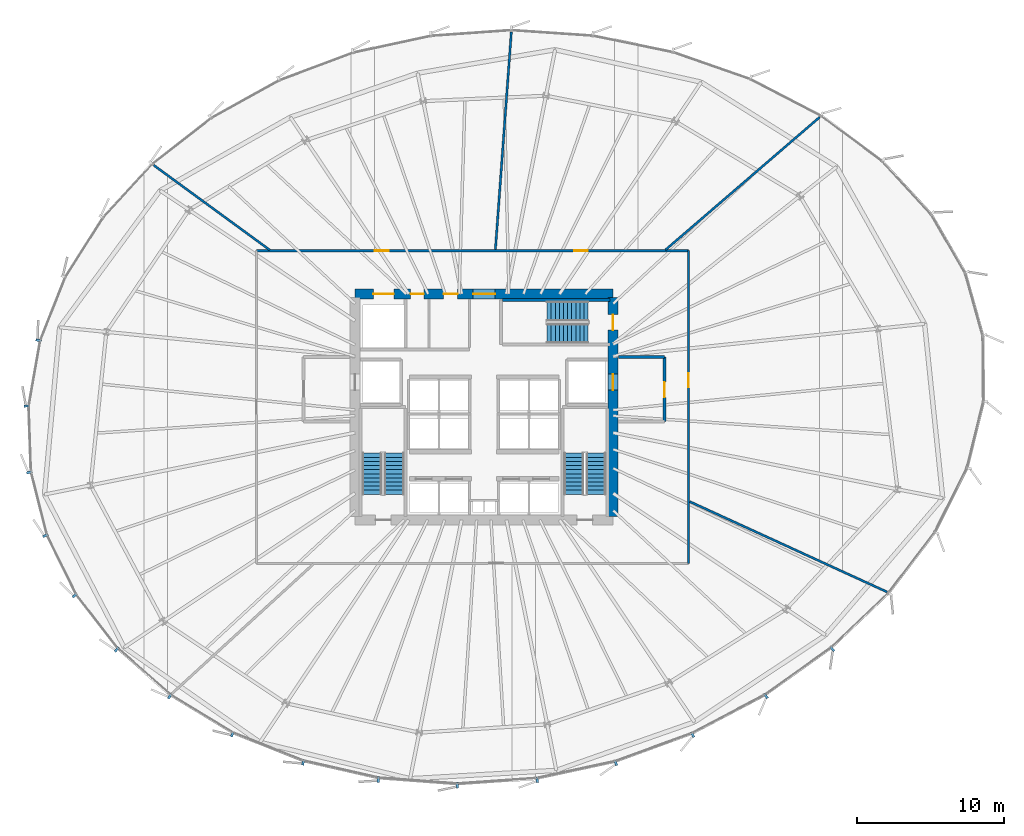
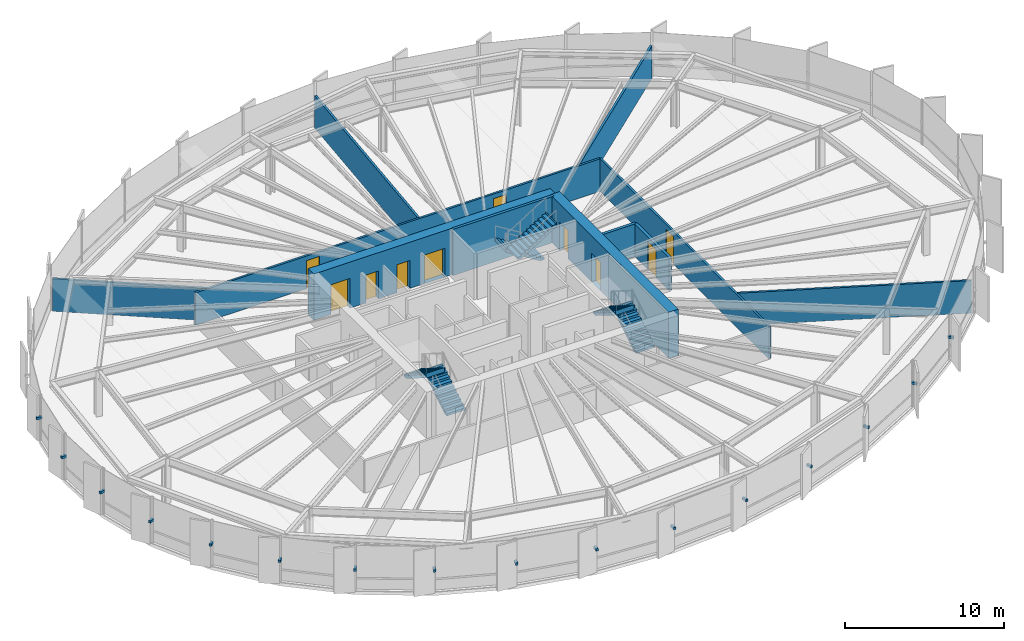
# One storey, part 32 of 38: 16 discrete accessories, 11 walls, 10 doors, 6 stair flights, 10 openings, 3 elements without a shape of their own.
"""IFC4 building model written with IfcOpenShell, lengths in metres."""

from ifc_helpers import new_model, si_unit, direction, frame, frame_2d, origin, origin_2d, place, context, subcontext, project, spatial, polyline, rectangle, outline, extrude, source, transform, mapped, material, layer, layer_set, type_object, element, fill, aggregate, save


model = new_model("IFC4")

# Units and contexts
model_context = context("Model", 3, precision=1e-05, world=origin(), true_north=direction((0.0, 1.0)))
body_context = subcontext(model_context, "Body", "Model", "MODEL_VIEW")
ifc_project = project(units=[si_unit("LENGTHUNIT", "METRE"), si_unit("AREAUNIT", "SQUARE_METRE"), si_unit("VOLUMEUNIT", "CUBIC_METRE"), si_unit("PLANEANGLEUNIT", "RADIAN"), si_unit("MASSUNIT", "GRAM", prefix="KILO"), si_unit("THERMODYNAMICTEMPERATUREUNIT", "KELVIN")], contexts=[model_context])

# Site, building, storey
site_placement = place(None, origin())
site = spatial("IfcSite", under=ifc_project, at=site_placement, CompositionType="ELEMENT")
building_placement = place(site_placement, origin())
building = spatial("IfcBuilding", under=site, at=building_placement, Name="Kethvar Cultural Tower", CompositionType="ELEMENT")
storey_placement = place(building_placement, frame((0.0, 0.0, 63.800048828125)))
storey = spatial("IfcBuildingStorey", under=building, at=storey_placement, Name="L15", CompositionType="ELEMENT", Elevation=63.800048828125)

# Wall, openings, doors
ifc_material_1 = material(Name="Concrete C60/75", Category="concrete")
ifc_layer_1 = layer(ifc_material_1, 0.699951171875, Name="Concrete C60/75", Category="concrete")
ifc_layer_set_1 = layer_set([ifc_layer_1], Name="Concrete C60/75 (700 mm)")
wall_type_1 = type_object("IfcWallType", Name="WL-CORE-700", PredefinedType="SHEAR", material=ifc_layer_set_1)
wall_1_placement = place(storey_placement, frame((55.60009765625, 35.5, 0.0), z_axis=(0.0, 0.0, 1.0), x_axis=(-1.0, 0.0, 0.0)))
wall_1 = element("IfcWall", 1, at=wall_1_placement, inside=storey, type_object=wall_type_1, Name="L15 Core Shear Wall N", PredefinedType="SHEAR", context=body_context, shape_type="SweptSolid", body=[
    extrude(rectangle(XDim=17.60009765625, YDim=0.699951171875, at=frame_2d((8.800048828125, 0.0))), origin(), (0.0, 0.0, 1.0), 3.550048828125),
])
opening_1_placement = place(wall_1_placement, frame((8.050048828125, 0.0, 0.0)))
opening_1 = element("IfcOpeningElement", 2, at=opening_1_placement, cuts=wall_1, Name="Opening D-L15-LN", PredefinedType="OPENING", context=body_context, shape_type="SweptSolid", body=[
    extrude(rectangle(XDim=1.5, YDim=2.199951171875, at=frame_2d((0.75, 1.10009765625))), frame((0.0, 0.35986328125, 0.0), z_axis=(0.0, -1.0, 0.0), x_axis=(1.0, 0.0, 0.0)), (0.0, 0.0, 1.0), 0.719970703125),
])
opening_2_placement = place(wall_1_placement, frame((14.949951171875, 0.0, 0.0)))
opening_2 = element("IfcOpeningElement", 3, at=opening_2_placement, cuts=wall_1, Name="Opening LD-G1", PredefinedType="OPENING", context=body_context, shape_type="SweptSolid", body=[
    extrude(rectangle(XDim=1.39990234375, YDim=2.300048828125, at=frame_2d((0.699951171875, 1.14990234375))), frame((0.0, 0.35986328125, 0.0), z_axis=(0.0, -1.0, 0.0), x_axis=(1.0, 0.0, 0.0)), (0.0, 0.0, 1.0), 0.719970703125),
])
opening_3_placement = place(wall_1_placement, frame((12.89990234375, 0.0, 0.0)))
opening_3 = element("IfcOpeningElement", 4, at=opening_3_placement, cuts=wall_1, Name="Opening D-L15-W1", PredefinedType="OPENING", context=body_context, shape_type="SweptSolid", body=[
    extrude(rectangle(XDim=0.89990234375, YDim=2.14990234375, at=frame_2d((0.449951171875, 1.074951171875))), frame((0.0, 0.35986328125, 0.0), z_axis=(0.0, -1.0, 0.0), x_axis=(1.0, 0.0, 0.0)), (0.0, 0.0, 1.0), 0.719970703125),
])
opening_4_placement = place(wall_1_placement, frame((10.60009765625, 0.0, 0.0)))
opening_4 = element("IfcOpeningElement", 5, at=opening_4_placement, cuts=wall_1, Name="Opening D-L15-W2", PredefinedType="OPENING", context=body_context, shape_type="SweptSolid", body=[
    extrude(rectangle(XDim=0.949951171875, YDim=2.14990234375, at=frame_2d((0.47509765625, 1.074951171875))), frame((0.0, 0.35986328125, 0.0), z_axis=(0.0, -1.0, 0.0), x_axis=(1.0, 0.0, 0.0)), (0.0, 0.0, 1.0), 0.719970703125),
])
ifc_material_2 = material(Name="Architectural Oak Timber", Category="wood")
door_type_1 = type_object("IfcDoorType", Name="DR-DBL-FD60-1500", OperationType="DOUBLE_DOOR_SINGLE_SWING", PredefinedType="DOOR", material=ifc_material_2)
shared_shape_1 = source(origin(), body_context, "Body", "SweptSolid", [
    extrude(rectangle(XDim=1.5, YDim=2.199951171875, at=frame_2d((0.75, 1.10009765625))), frame((0.0, 0.02490234375, 0.0), z_axis=(0.0, -1.0, 0.0), x_axis=(1.0, 0.0, 0.0)), (0.0, 0.0, 1.0), 0.050048828125),
])
door_1_placement = place(opening_1_placement, origin())
door_1 = element("IfcDoor", 6, at=door_1_placement, inside=storey, type_object=door_type_1, Name="L15 Lift Lobby Concourse Door", OperationType="DOUBLE_DOOR_SINGLE_SWING", OverallHeight=2.199951171875, OverallWidth=1.5, PredefinedType="DOOR", context=body_context, shape_type="MappedRepresentation", body=[
    mapped(shared_shape_1, transform((0.0, 0.0, 0.0), scale=1.0)),
])
fill(opening_1, door_1)
ifc_material_3 = material(Name="Steel S355J2", Category="steel")
door_type_2 = type_object("IfcDoorType", Name="DR-LIFT-SLIDE-1400", OperationType="NOTDEFINED", PredefinedType="DOOR", material=ifc_material_3)
shared_shape_2 = source(origin(), body_context, "Body", "SweptSolid", [
    extrude(rectangle(XDim=1.39990234375, YDim=2.300048828125, at=frame_2d((0.699951171875, 1.14990234375))), frame((0.0, 0.02490234375, 0.0), z_axis=(0.0, -1.0, 0.0), x_axis=(1.0, 0.0, 0.0)), (0.0, 0.0, 1.0), 0.050048828125),
])
door_2_placement = place(opening_2_placement, origin())
door_2 = element("IfcDoor", 7, at=door_2_placement, inside=storey, type_object=door_type_2, Name="L15 Goods Lift Landing Door", OperationType="SLIDING_TO_RIGHT", OverallHeight=2.300048828125, OverallWidth=1.39990234375, PredefinedType="DOOR", context=body_context, shape_type="MappedRepresentation", body=[
    mapped(shared_shape_2, transform((0.0, 0.0, 0.0), scale=1.0)),
])
fill(opening_2, door_2)
door_type_3 = type_object("IfcDoorType", Name="DR-FD30-950", OperationType="NOTDEFINED", PredefinedType="DOOR", material=ifc_material_2)
shared_shape_3 = source(origin(), body_context, "Body", "SweptSolid", [
    extrude(rectangle(XDim=0.949951171875, YDim=2.14990234375, at=frame_2d((0.47509765625, 1.074951171875))), frame((0.0, 0.02490234375, 0.0), z_axis=(0.0, -1.0, 0.0), x_axis=(1.0, 0.0, 0.0)), (0.0, 0.0, 1.0), 0.050048828125),
])
door_3_placement = place(opening_4_placement, origin())
door_3 = element("IfcDoor", 8, at=door_3_placement, inside=storey, type_object=door_type_3, Name="L15 Public Washroom Door", OperationType="SINGLE_SWING_RIGHT", OverallHeight=2.14990234375, OverallWidth=0.949951171875, PredefinedType="DOOR", context=body_context, shape_type="MappedRepresentation", body=[
    mapped(shared_shape_3, transform((0.0, 0.0, 0.0), scale=1.0)),
])
fill(opening_4, door_3)
door_type_4 = type_object("IfcDoorType", Name="DR-FD30-900", OperationType="NOTDEFINED", PredefinedType="DOOR", material=ifc_material_2)
shared_shape_4 = source(origin(), body_context, "Body", "SweptSolid", [
    extrude(rectangle(XDim=0.89990234375, YDim=2.14990234375, at=frame_2d((0.449951171875, 1.074951171875))), frame((0.0, 0.02490234375, 0.0), z_axis=(0.0, -1.0, 0.0), x_axis=(1.0, 0.0, 0.0)), (0.0, 0.0, 1.0), 0.050048828125),
])
door_4_placement = place(opening_3_placement, origin())
door_4 = element("IfcDoor", 9, at=door_4_placement, inside=storey, type_object=door_type_4, Name="L15 Accessible Washroom Door", OperationType="SINGLE_SWING_LEFT", OverallHeight=2.14990234375, OverallWidth=0.89990234375, PredefinedType="DOOR", context=body_context, shape_type="MappedRepresentation", body=[
    mapped(shared_shape_4, transform((0.0, 0.0, 0.0), scale=1.0)),
])
fill(opening_3, door_4)

wall_2_placement = place(storey_placement, frame((55.60009765625, 20.340087890625, 0.0), z_axis=(0.0, 0.0, 1.0), x_axis=(0.0, 1.0, 0.0)))
wall_2 = element("IfcWall", 10, at=wall_2_placement, inside=storey, type_object=wall_type_1, Name="L15 Core Shear Wall E", PredefinedType="SHEAR", context=body_context, shape_type="SweptSolid", body=[
    extrude(rectangle(XDim=14.919921875, YDim=0.699951171875, at=frame_2d((7.4599609375, 0.0))), origin(), (0.0, 0.0, 1.0), 3.550048828125),
])
opening_5_placement = place(wall_2_placement, frame((12.7099609375, 0.0, 0.0)))
opening_5 = element("IfcOpeningElement", 11, at=opening_5_placement, cuts=wall_2, Name="Opening D-L15-S3", PredefinedType="OPENING", context=body_context, shape_type="SweptSolid", body=[
    extrude(rectangle(XDim=1.050048828125, YDim=2.14990234375, at=frame_2d((0.52490234375, 1.074951171875))), frame((0.0, 0.35986328125, 0.0), z_axis=(0.0, -1.0, 0.0), x_axis=(1.0, 0.0, 0.0)), (0.0, 0.0, 1.0), 0.719970703125),
])
opening_6_placement = place(wall_2_placement, frame((8.610107421875, 0.0, 0.0)))
opening_6 = element("IfcOpeningElement", 12, at=opening_6_placement, cuts=wall_2, Name="Opening LD-2", PredefinedType="OPENING", context=body_context, shape_type="SweptSolid", body=[
    extrude(rectangle(XDim=1.10009765625, YDim=2.199951171875, at=frame_2d((0.550048828125, 1.10009765625))), frame((0.0, 0.35986328125, 0.0), z_axis=(0.0, -1.0, 0.0), x_axis=(1.0, 0.0, 0.0)), (0.0, 0.0, 1.0), 0.719970703125),
])
door_type_5 = type_object("IfcDoorType", Name="DR-FD60-1050", OperationType="NOTDEFINED", PredefinedType="DOOR", material=ifc_material_3)
shared_shape_5 = source(origin(), body_context, "Body", "SweptSolid", [
    extrude(rectangle(XDim=1.050048828125, YDim=2.14990234375, at=frame_2d((0.52490234375, 1.074951171875))), frame((0.0, 0.02490234375, 0.0), z_axis=(0.0, -1.0, 0.0), x_axis=(1.0, 0.0, 0.0)), (0.0, 0.0, 1.0), 0.050048828125),
])
door_5_placement = place(opening_5_placement, origin())
door_5 = element("IfcDoor", 13, at=door_5_placement, inside=storey, type_object=door_type_5, Name="L15 Exit Stair 3 Door", OperationType="SINGLE_SWING_LEFT", OverallHeight=2.14990234375, OverallWidth=1.050048828125, PredefinedType="DOOR", context=body_context, shape_type="MappedRepresentation", body=[
    mapped(shared_shape_5, transform((0.0, 0.0, 0.0), scale=1.0)),
])
fill(opening_5, door_5)
door_type_6 = type_object("IfcDoorType", Name="DR-LIFT-SLIDE-1100", OperationType="NOTDEFINED", PredefinedType="DOOR", material=ifc_material_3)
shared_shape_6 = source(origin(), body_context, "Body", "SweptSolid", [
    extrude(rectangle(XDim=1.10009765625, YDim=2.199951171875, at=frame_2d((0.550048828125, 1.10009765625))), frame((0.0, 0.02490234375, 0.0), z_axis=(0.0, -1.0, 0.0), x_axis=(1.0, 0.0, 0.0)), (0.0, 0.0, 1.0), 0.050048828125),
])
door_6_placement = place(opening_6_placement, origin())
door_6 = element("IfcDoor", 14, at=door_6_placement, inside=storey, type_object=door_type_6, Name="L15 Firefighting Lift Landing Door FFL-02", OperationType="SLIDING_TO_RIGHT", OverallHeight=2.199951171875, OverallWidth=1.10009765625, PredefinedType="DOOR", context=body_context, shape_type="MappedRepresentation", body=[
    mapped(shared_shape_6, transform((0.0, 0.0, 0.0), scale=1.0)),
])
fill(opening_6, door_6)

# Wall, opening, door
ifc_material_4 = material(Name="Gypsum Fireboard Partition")
ifc_layer_2 = layer(ifc_material_4, 0.14990234375, Name="Gypsum Fireboard Partition")
ifc_layer_set_2 = layer_set([ifc_layer_2], Name="Gypsum Fireboard Partition (150 mm)")
wall_type_2 = type_object("IfcWallType", Name="WL-FIRE-150", PredefinedType="PARTITIONING", material=ifc_layer_set_2)
wall_3_placement = place(storey_placement, frame((60.75, 17.139892578125, 0.0), z_axis=(0.0, 0.0, 1.0), x_axis=(0.0, 1.0, 0.0)))
wall_3 = element("IfcWall", 15, at=wall_3_placement, inside=storey, type_object=wall_type_2, Name="L15 Corridor Rated Wall E", PredefinedType="PARTITIONING", context=body_context, shape_type="SweptSolid", body=[
    extrude(rectangle(XDim=21.320068359375, YDim=0.14990234375, at=frame_2d((10.66015625, 0.0))), origin(), (0.0, 0.0, 1.0), 2.5048828125),
])
opening_7_placement = place(wall_3_placement, frame((12.0029296875, 0.0, 0.0)))
opening_7 = element("IfcOpeningElement", 16, at=opening_7_placement, cuts=wall_3, Name="Opening D-L15-02", PredefinedType="OPENING", context=body_context, shape_type="SweptSolid", body=[
    extrude(rectangle(XDim=0.949951171875, YDim=2.14990234375, at=frame_2d((0.47509765625, 1.074951171875))), frame((0.0, 0.0849609375, 0.0), z_axis=(0.0, -1.0, 0.0), x_axis=(1.0, 0.0, 0.0)), (0.0, 0.0, 1.0), 0.169921875),
])
door_7_placement = place(opening_7_placement, origin())
door_7 = element("IfcDoor", 17, at=door_7_placement, inside=storey, type_object=door_type_3, Name="L15 Researchers' Study Lounge 02 Door", OperationType="SINGLE_SWING_LEFT", OverallHeight=2.14990234375, OverallWidth=0.949951171875, PredefinedType="DOOR", context=body_context, shape_type="MappedRepresentation", body=[
    mapped(shared_shape_3, transform((0.0, 0.0, 0.0), scale=1.0)),
])
fill(opening_7, door_7)

# Wall, openings, doors
wall_4_placement = place(storey_placement, frame((60.75, 38.4599609375, 0.0), z_axis=(0.0, 0.0, 1.0), x_axis=(-1.0, 0.0, 0.0)))
wall_4 = element("IfcWall", 18, at=wall_4_placement, inside=storey, type_object=wall_type_2, Name="L15 Corridor Rated Wall N", PredefinedType="PARTITIONING", context=body_context, shape_type="SweptSolid", body=[
    extrude(rectangle(XDim=29.4599609375, YDim=0.14990234375, at=frame_2d((14.72998046875, 0.0))), origin(), (0.0, 0.0, 1.0), 2.5048828125),
])
opening_8_placement = place(wall_4_placement, frame((6.86328125, 0.0, 0.0)))
opening_8 = element("IfcOpeningElement", 19, at=opening_8_placement, cuts=wall_4, Name="Opening D-L15-03", PredefinedType="OPENING", context=body_context, shape_type="SweptSolid", body=[
    extrude(rectangle(XDim=0.949951171875, YDim=2.14990234375, at=frame_2d((0.47509765625, 1.074951171875))), frame((0.0, 0.0849609375, 0.0), z_axis=(0.0, -1.0, 0.0), x_axis=(1.0, 0.0, 0.0)), (0.0, 0.0, 1.0), 0.169921875),
])
opening_9_placement = place(wall_4_placement, frame((20.4609375, 0.0, 0.0)))
opening_9 = element("IfcOpeningElement", 20, at=opening_9_placement, cuts=wall_4, Name="Opening D-L15-04", PredefinedType="OPENING", context=body_context, shape_type="SweptSolid", body=[
    extrude(rectangle(XDim=0.949951171875, YDim=2.14990234375, at=frame_2d((0.47509765625, 1.074951171875))), frame((0.0, 0.0849609375, 0.0), z_axis=(0.0, -1.0, 0.0), x_axis=(1.0, 0.0, 0.0)), (0.0, 0.0, 1.0), 0.169921875),
])
door_8_placement = place(opening_8_placement, origin())
door_8 = element("IfcDoor", 21, at=door_8_placement, inside=storey, type_object=door_type_3, Name="L15 Cultural Lecture Room 03 Door", OperationType="SINGLE_SWING_RIGHT", OverallHeight=2.14990234375, OverallWidth=0.949951171875, PredefinedType="DOOR", context=body_context, shape_type="MappedRepresentation", body=[
    mapped(shared_shape_3, transform((0.0, 0.0, 0.0), scale=1.0)),
])
fill(opening_8, door_8)
door_9_placement = place(opening_9_placement, origin())
door_9 = element("IfcDoor", 22, at=door_9_placement, inside=storey, type_object=door_type_3, Name="L15 Patron Reception 04 Door", OperationType="SINGLE_SWING_LEFT", OverallHeight=2.14990234375, OverallWidth=0.949951171875, PredefinedType="DOOR", context=body_context, shape_type="MappedRepresentation", body=[
    mapped(shared_shape_3, transform((0.0, 0.0, 0.0), scale=1.0)),
])
fill(opening_9, door_9)

# Wall, opening, door
ifc_material_5 = material(Name="Concrete C40/50", Category="concrete")
ifc_layer_3 = layer(ifc_material_5, 0.199951171875, Name="Concrete C40/50", Category="concrete")
ifc_layer_set_3 = layer_set([ifc_layer_3], Name="Concrete C40/50 (200 mm)")
wall_type_3 = type_object("IfcWallType", Name="WL-FIRE-200", PredefinedType="PARTITIONING", material=ifc_layer_set_3)
wall_5_placement = place(storey_placement, frame((59.10009765625, 26.800048828125, 0.0), z_axis=(0.0, 0.0, 1.0), x_axis=(0.0, 1.0, 0.0)))
wall_5 = element("IfcWall", 23, at=wall_5_placement, inside=storey, type_object=wall_type_3, Name="L15 Firefighting Lobby 2 Wall", PredefinedType="PARTITIONING", context=body_context, shape_type="SweptSolid", body=[
    extrude(rectangle(XDim=4.39990234375, YDim=0.199951171875, at=frame_2d((2.199951171875, 0.0))), origin(), (0.0, 0.0, 1.0), 2.5048828125),
])
opening_10_placement = place(wall_5_placement, frame((1.64990234375, 0.0, 0.0)))
opening_10 = element("IfcOpeningElement", 24, at=opening_10_placement, cuts=wall_5, Name="Opening D-L15-F2", PredefinedType="OPENING", context=body_context, shape_type="SweptSolid", body=[
    extrude(rectangle(XDim=1.050048828125, YDim=2.14990234375, at=frame_2d((0.52490234375, 1.074951171875))), frame((0.0, 0.10986328125, 0.0), z_axis=(0.0, -1.0, 0.0), x_axis=(1.0, 0.0, 0.0)), (0.0, 0.0, 1.0), 0.219970703125),
])
door_10_placement = place(opening_10_placement, origin())
door_10 = element("IfcDoor", 25, at=door_10_placement, inside=storey, type_object=door_type_5, Name="L15 Firefighting Lobby 2 Fire Door", OperationType="SINGLE_SWING_LEFT", OverallHeight=2.14990234375, OverallWidth=1.050048828125, PredefinedType="DOOR", context=body_context, shape_type="MappedRepresentation", body=[
    mapped(shared_shape_5, transform((0.0, 0.0, 0.0), scale=1.0)),
])
fill(opening_10, door_10)

# Walls
wall_6_placement = place(storey_placement, frame((55.9599609375, 31.199951171875, 0.0), z_axis=(0.0, 0.0, 1.0), x_axis=(1.0, 0.0, 0.0)))
element("IfcWall", 26, at=wall_6_placement, inside=storey, type_object=wall_type_3, Name="L15 FF Lobby 2 North Wall", PredefinedType="PARTITIONING", context=body_context, shape_type="SweptSolid", body=[
    extrude(rectangle(XDim=3.14013671875, YDim=0.199951171875, at=frame_2d((1.570068359375, 0.0))), origin(), (0.0, 0.0, 1.0), 2.5048828125),
])
ifc_material_6 = material(Name="Gypsum Acoustic Partition")
ifc_layer_4 = layer(ifc_material_6, 0.14990234375, Name="Gypsum Acoustic Partition")
ifc_layer_set_4 = layer_set([ifc_layer_4], Name="Gypsum Acoustic Partition (150 mm)")
wall_type_4 = type_object("IfcWallType", Name="WL-PART-150", PredefinedType="PARTITIONING", material=ifc_layer_set_4)
wall_7_placement = place(storey_placement, frame((60.82275390625, 21.35107421875, 0.0), z_axis=(0.0, 0.0, 1.0), x_axis=(0.909244099152, -0.416263339916, 0.0)))
element("IfcWall", 27, at=wall_7_placement, inside=storey, type_object=wall_type_4, Name="L15 Radial Partition Wall 02", PredefinedType="PARTITIONING", context=body_context, shape_type="SweptSolid", body=[
    extrude(rectangle(XDim=14.801025390625, YDim=0.14990234375, at=frame_2d((7.400390625, 0.0))), origin(), (0.0, 0.0, 1.0), 2.5048828125),
])
wall_8_placement = place(storey_placement, frame((59.167724609375, 38.51220703125, 0.0), z_axis=(0.0, 0.0, 1.0), x_axis=(0.757930170229, 0.652335693533, 0.0)))
element("IfcWall", 28, at=wall_8_placement, inside=storey, type_object=wall_type_4, Name="L15 Radial Partition Wall 03", PredefinedType="PARTITIONING", context=body_context, shape_type="SweptSolid", body=[
    extrude(rectangle(XDim=13.87939453125, YDim=0.14990234375, at=frame_2d((6.939697265625, 0.0))), origin(), (0.0, 0.0, 1.0), 2.5048828125),
])
wall_9_placement = place(storey_placement, frame((47.57470703125, 38.539794921875, 0.0), z_axis=(0.0, 0.0, 1.0), x_axis=(0.073040160703, 0.997329000343, 0.0)))
element("IfcWall", 29, at=wall_9_placement, inside=storey, type_object=wall_type_4, Name="L15 Radial Partition Wall 04", PredefinedType="PARTITIONING", context=body_context, shape_type="SweptSolid", body=[
    extrude(rectangle(XDim=14.87109375, YDim=0.14990234375, at=frame_2d((7.435546875, 0.0))), origin(), (0.0, 0.0, 1.0), 2.5048828125),
])
wall_10_placement = place(storey_placement, frame((32.187744140625, 38.507080078125, 0.0), z_axis=(0.0, 0.0, 1.0), x_axis=(-0.807411670148, 0.589988470149, 0.0)))
element("IfcWall", 30, at=wall_10_placement, inside=storey, type_object=wall_type_4, Name="L15 Radial Partition Wall 05", PredefinedType="PARTITIONING", context=body_context, shape_type="SweptSolid", body=[
    extrude(rectangle(XDim=9.796142578125, YDim=0.14990234375, at=frame_2d((4.89794921875, 0.0))), origin(), (0.0, 0.0, 1.0), 2.5048828125),
])
ifc_material_7 = material(Name="Concrete C50/60", Category="concrete")
ifc_layer_5 = layer(ifc_material_7, 0.199951171875, Name="Concrete C50/60", Category="concrete")
ifc_layer_set_5 = layer_set([ifc_layer_5], Name="Concrete C50/60 (200 mm)")
wall_type_5 = type_object("IfcWallType", Name="WL-STSHAFT-200", PredefinedType="SHEAR", material=ifc_layer_set_5)
wall_11_placement = place(storey_placement, frame((48.050048828125, 35.110107421875, 0.0), z_axis=(0.0, 0.0, 1.0), x_axis=(1.0, 0.0, 0.0)))
element("IfcWall", 31, at=wall_11_placement, inside=storey, type_object=wall_type_5, Name="L15 ST-03 Stair Shaft Wall LEFT", PredefinedType="SHEAR", context=body_context, shape_type="SweptSolid", body=[
    extrude(rectangle(XDim=7.349853515625, YDim=0.199951171875, at=frame_2d((3.6748046875, 0.0))), origin(), (0.0, 0.0, 1.0), 3.550048828125),
])

# Stair, stair flights
stair_type = type_object("IfcStairType", Name="ST-DOGLEG-135", PredefinedType="HALF_TURN_STAIR", material=ifc_material_5)
stair_1_placement = place(storey_placement, origin())
stair_1 = element("IfcStair", 32, at=stair_1_placement, inside=storey, type_object=stair_type, Name="L15 Core Exit Stair 1", PredefinedType="HALF_TURN_STAIR")
stair_flight_type = type_object("IfcStairFlightType", Name="FL-STRAIGHT-135", PredefinedType="STRAIGHT", material=ifc_material_5)
stair_flight_1_placement = place(storey_placement, frame((40.675048828125, 21.85009765625, 0.0), z_axis=(0.0, 0.0, 1.0), x_axis=(0.0, 1.0, 0.0)))
stair_flight_1 = element("IfcStairFlight", 33, at=stair_flight_1_placement, type_object=stair_flight_type, Name="ST-01 flight 1", NumberOfRisers=11, NumberOfTreads=10, PredefinedType="STRAIGHT", RiserHeight=0.172727273, TreadLength=0.28, context=body_context, shape_type="SweptSolid", body=[
    extrude(outline(polyline([(-0.0009765625, -0.0009765625), (-0.0009765625, 0.172607421875), (0.280029296875, 0.172607421875), (0.280029296875, 0.345458984375), (0.56005859375, 0.345458984375), (0.56005859375, 0.51806640625), (0.840087890625, 0.51806640625), (0.840087890625, 0.69091796875), (1.1201171875, 0.69091796875), (1.1201171875, 0.863525390625), (1.39990234375, 0.863525390625), (1.39990234375, 1.036376953125), (1.679931640625, 1.036376953125), (1.679931640625, 1.208984375), (1.9599609375, 1.208984375), (1.9599609375, 1.3818359375), (2.239990234375, 1.3818359375), (2.239990234375, 1.554443359375), (2.52001953125, 1.554443359375), (2.52001953125, 1.727294921875), (2.800048828125, 1.727294921875), (2.800048828125, 1.89990234375), (2.801025390625, 1.89990234375), (2.801025390625, 1.551025390625), (0.285400390625, 0.0), (0.0, -0.0009765625), (-0.0009765625, -0.0009765625)])), frame((0.0, 0.675048828125, 0.0), z_axis=(0.0, -1.0, 0.0), x_axis=(1.0, 0.0, 0.0)), (0.0, 0.0, 1.0), 1.35009765625),
])
stair_flight_2_placement = place(storey_placement, frame((39.1650390625, 24.64990234375, 1.89990234375), z_axis=(0.0, 0.0, 1.0), x_axis=(0.0, -1.0, 0.0)))
stair_flight_2 = element("IfcStairFlight", 34, at=stair_flight_2_placement, type_object=stair_flight_type, Name="ST-01 flight 2", NumberOfRisers=11, NumberOfTreads=10, PredefinedType="STRAIGHT", RiserHeight=0.172727273, TreadLength=0.28, context=body_context, shape_type="SweptSolid", body=[
    extrude(outline(polyline([(-0.0009765625, -0.0009765625), (-0.0009765625, 0.172607421875), (0.280029296875, 0.172607421875), (0.280029296875, 0.345458984375), (0.56005859375, 0.345458984375), (0.56005859375, 0.51806640625), (0.840087890625, 0.51806640625), (0.840087890625, 0.69091796875), (1.1201171875, 0.69091796875), (1.1201171875, 0.863525390625), (1.39990234375, 0.863525390625), (1.39990234375, 1.036376953125), (1.679931640625, 1.036376953125), (1.679931640625, 1.208984375), (1.9599609375, 1.208984375), (1.9599609375, 1.3818359375), (2.239990234375, 1.3818359375), (2.239990234375, 1.554443359375), (2.52001953125, 1.554443359375), (2.52001953125, 1.727294921875), (2.800048828125, 1.727294921875), (2.800048828125, 1.89990234375), (2.801025390625, 1.89990234375), (2.801025390625, 1.551025390625), (0.285400390625, 0.0), (0.0, -0.0009765625), (-0.0009765625, -0.0009765625)])), frame((0.0, 0.675048828125, 0.0), z_axis=(0.0, -1.0, 0.0), x_axis=(1.0, 0.0, 0.0)), (0.0, 0.0, 1.0), 1.35009765625),
])
aggregate(stair_1, [stair_flight_1, stair_flight_2])

stair_2_placement = place(storey_placement, origin())
stair_2 = element("IfcStair", 35, at=stair_2_placement, inside=storey, type_object=stair_type, Name="L15 Core Exit Stair 2", PredefinedType="HALF_TURN_STAIR")
stair_flight_3_placement = place(storey_placement, frame((54.43505859375, 21.85009765625, 0.0), z_axis=(0.0, 0.0, 1.0), x_axis=(0.0, 1.0, 0.0)))
stair_flight_3 = element("IfcStairFlight", 36, at=stair_flight_3_placement, type_object=stair_flight_type, Name="ST-02 flight 1", NumberOfRisers=11, NumberOfTreads=10, PredefinedType="STRAIGHT", RiserHeight=0.172727273, TreadLength=0.28, context=body_context, shape_type="SweptSolid", body=[
    extrude(outline(polyline([(-0.0009765625, -0.0009765625), (-0.0009765625, 0.172607421875), (0.280029296875, 0.172607421875), (0.280029296875, 0.345458984375), (0.56005859375, 0.345458984375), (0.56005859375, 0.51806640625), (0.840087890625, 0.51806640625), (0.840087890625, 0.69091796875), (1.1201171875, 0.69091796875), (1.1201171875, 0.863525390625), (1.39990234375, 0.863525390625), (1.39990234375, 1.036376953125), (1.679931640625, 1.036376953125), (1.679931640625, 1.208984375), (1.9599609375, 1.208984375), (1.9599609375, 1.3818359375), (2.239990234375, 1.3818359375), (2.239990234375, 1.554443359375), (2.52001953125, 1.554443359375), (2.52001953125, 1.727294921875), (2.800048828125, 1.727294921875), (2.800048828125, 1.89990234375), (2.801025390625, 1.89990234375), (2.801025390625, 1.551025390625), (0.285400390625, 0.0), (0.0, -0.0009765625), (-0.0009765625, -0.0009765625)])), frame((0.0, 0.675048828125, 0.0), z_axis=(0.0, -1.0, 0.0), x_axis=(1.0, 0.0, 0.0)), (0.0, 0.0, 1.0), 1.35009765625),
])
stair_flight_4_placement = place(storey_placement, frame((52.925048828125, 24.64990234375, 1.89990234375), z_axis=(0.0, 0.0, 1.0), x_axis=(0.0, -1.0, 0.0)))
stair_flight_4 = element("IfcStairFlight", 37, at=stair_flight_4_placement, type_object=stair_flight_type, Name="ST-02 flight 2", NumberOfRisers=11, NumberOfTreads=10, PredefinedType="STRAIGHT", RiserHeight=0.172727273, TreadLength=0.28, context=body_context, shape_type="SweptSolid", body=[
    extrude(outline(polyline([(-0.0009765625, -0.0009765625), (-0.0009765625, 0.172607421875), (0.280029296875, 0.172607421875), (0.280029296875, 0.345458984375), (0.56005859375, 0.345458984375), (0.56005859375, 0.51806640625), (0.840087890625, 0.51806640625), (0.840087890625, 0.69091796875), (1.1201171875, 0.69091796875), (1.1201171875, 0.863525390625), (1.39990234375, 0.863525390625), (1.39990234375, 1.036376953125), (1.679931640625, 1.036376953125), (1.679931640625, 1.208984375), (1.9599609375, 1.208984375), (1.9599609375, 1.3818359375), (2.239990234375, 1.3818359375), (2.239990234375, 1.554443359375), (2.52001953125, 1.554443359375), (2.52001953125, 1.727294921875), (2.800048828125, 1.727294921875), (2.800048828125, 1.89990234375), (2.801025390625, 1.89990234375), (2.801025390625, 1.551025390625), (0.285400390625, 0.0), (0.0, -0.0009765625), (-0.0009765625, -0.0009765625)])), frame((0.0, 0.675048828125, 0.0), z_axis=(0.0, -1.0, 0.0), x_axis=(1.0, 0.0, 0.0)), (0.0, 0.0, 1.0), 1.35009765625),
])
aggregate(stair_2, [stair_flight_3, stair_flight_4])

stair_3_placement = place(storey_placement, origin())
stair_3 = element("IfcStair", 38, at=stair_3_placement, inside=storey, type_object=stair_type, Name="L15 Core Exit Stair 3", PredefinedType="HALF_TURN_STAIR")
stair_flight_5_placement = place(storey_placement, frame((53.89990234375, 34.3349609375, 0.0), z_axis=(0.0, 0.0, 1.0), x_axis=(-1.0, 0.0, 0.0)))
stair_flight_5 = element("IfcStairFlight", 39, at=stair_flight_5_placement, type_object=stair_flight_type, Name="ST-03 flight 1", NumberOfRisers=11, NumberOfTreads=10, PredefinedType="STRAIGHT", RiserHeight=0.172727273, TreadLength=0.28, context=body_context, shape_type="SweptSolid", body=[
    extrude(outline(polyline([(-0.0009765625, -0.0009765625), (-0.0009765625, 0.172607421875), (0.280029296875, 0.172607421875), (0.280029296875, 0.345458984375), (0.56005859375, 0.345458984375), (0.56005859375, 0.51806640625), (0.840087890625, 0.51806640625), (0.840087890625, 0.69091796875), (1.1201171875, 0.69091796875), (1.1201171875, 0.863525390625), (1.39990234375, 0.863525390625), (1.39990234375, 1.036376953125), (1.679931640625, 1.036376953125), (1.679931640625, 1.208984375), (1.9599609375, 1.208984375), (1.9599609375, 1.3818359375), (2.239990234375, 1.3818359375), (2.239990234375, 1.554443359375), (2.52001953125, 1.554443359375), (2.52001953125, 1.727294921875), (2.800048828125, 1.727294921875), (2.800048828125, 1.89990234375), (2.801025390625, 1.89990234375), (2.801025390625, 1.551025390625), (0.285400390625, 0.0), (0.0, -0.0009765625), (-0.0009765625, -0.0009765625)])), frame((0.0, 0.675048828125, 0.0), z_axis=(0.0, -1.0, 0.0), x_axis=(1.0, 0.0, 0.0)), (0.0, 0.0, 1.0), 1.35009765625),
])
stair_flight_6_placement = place(storey_placement, frame((51.10009765625, 32.824951171875, 1.89990234375), z_axis=(0.0, 0.0, 1.0), x_axis=(1.0, 0.0, 0.0)))
stair_flight_6 = element("IfcStairFlight", 40, at=stair_flight_6_placement, type_object=stair_flight_type, Name="ST-03 flight 2", NumberOfRisers=11, NumberOfTreads=10, PredefinedType="STRAIGHT", RiserHeight=0.172727273, TreadLength=0.28, context=body_context, shape_type="SweptSolid", body=[
    extrude(outline(polyline([(-0.0009765625, -0.0009765625), (-0.0009765625, 0.172607421875), (0.280029296875, 0.172607421875), (0.280029296875, 0.345458984375), (0.56005859375, 0.345458984375), (0.56005859375, 0.51806640625), (0.840087890625, 0.51806640625), (0.840087890625, 0.69091796875), (1.1201171875, 0.69091796875), (1.1201171875, 0.863525390625), (1.39990234375, 0.863525390625), (1.39990234375, 1.036376953125), (1.679931640625, 1.036376953125), (1.679931640625, 1.208984375), (1.9599609375, 1.208984375), (1.9599609375, 1.3818359375), (2.239990234375, 1.3818359375), (2.239990234375, 1.554443359375), (2.52001953125, 1.554443359375), (2.52001953125, 1.727294921875), (2.800048828125, 1.727294921875), (2.800048828125, 1.89990234375), (2.801025390625, 1.89990234375), (2.801025390625, 1.551025390625), (0.285400390625, 0.0), (0.0, -0.0009765625), (-0.0009765625, -0.0009765625)])), frame((0.0, 0.675048828125, 0.0), z_axis=(0.0, -1.0, 0.0), x_axis=(1.0, 0.0, 0.0)), (0.0, 0.0, 1.0), 1.35009765625),
])
aggregate(stair_3, [stair_flight_5, stair_flight_6])

# Discrete accessories
discrete_accessory_type = type_object("IfcDiscreteAccessoryType", Name="Steel Fin Bracket BRK-01", PredefinedType="BRACKET", material=ifc_material_3)
shared_shape_7 = source(origin(), body_context, "Body", "SweptSolid", [
    extrude(rectangle(XDim=0.3798828125, YDim=0.159912109375, at=origin_2d()), origin(), (0.0, 0.0, 1.0), 0.179931640625),
])
for number, where, z_axis, x_axis, name in (
    (41, (16.42041015625, 32.347900390625, 1.68505859375), (0.0, 0.0, 1.0), (-0.984807753012, 0.173648177667, 0.0), "L15 Terracotta Fin Bracket 3.5"),
    (42, (15.630615234375, 27.86767578125, 1.68505859375), (0.0, 0.0, 1.0), (-0.999384720686, -0.035073922775, 0.0), "L15 Terracotta Fin Bracket 3.6"),
    (43, (15.79833984375, 23.34423828125, 1.68505859375), (0.0, 0.0, 1.0), (-0.969488149345, -0.245138182011, 0.0), "L15 Terracotta Fin Bracket 4.1"),
    (44, (16.8876953125, 19.037109375, 1.68505859375), (0.0, 0.0, 1.0), (-0.897258369674, -0.441505852792, 0.0), "L15 Terracotta Fin Bracket 4.2"),
    (45, (18.896484375, 14.955078125, 1.68505859375), (0.0, 0.0, 1.0), (-0.790903229713, -0.611941240013, 0.0), "L15 Terracotta Fin Bracket 4.3"),
    (46, (21.753173828125, 11.263916015625, 1.68505859375), (0.0, 0.0, 1.0), (-0.661311865324, -0.75011106963, 0.0), "L15 Terracotta Fin Bracket 4.4"),
    (47, (25.37060546875, 8.0751953125, 1.68505859375), (0.0, 0.0, 1.0), (-0.51862403999, -0.855002400666, 0.0), "L15 Terracotta Fin Bracket 4.5"),
    (48, (29.63916015625, 5.485595703125, 1.68505859375), (0.0, 0.0, 1.0), (-0.370719539713, -0.928744864252, 0.0), "L15 Terracotta Fin Bracket 4.6"),
    (49, (34.47021484375, 3.564697265625, 1.68505859375), (0.0, 0.0, 1.0), (-0.221888875454, -0.975071959883, 0.0), "L15 Terracotta Fin Bracket 5.1"),
    (50, (39.5947265625, 2.398681640625, 1.68505859375), (0.0, 0.0, 1.0), (-0.074804684047, -0.997198204594, 0.0), "L15 Terracotta Fin Bracket 5.2"),
    (51, (44.979248046875, 1.9951171875, 1.68505859375), (0.0, 0.0, 1.0), (0.069756473744, -0.99756405026, 0.0), "L15 Terracotta Fin Bracket 5.3"),
    (52, (50.419189453125, 2.375244140625, 1.68505859375), (0.0, 0.0, 1.0), (0.210812993745, -0.977526409704, 0.0), "L15 Terracotta Fin Bracket 5.4"),
    (53, (55.788330078125, 3.533447265625, 1.68505859375), (0.0, 0.0, 1.0), (0.343659694586, -0.939094252095, 0.0), "L15 Terracotta Fin Bracket 5.5"),
    (54, (61.0205078125, 5.448486328125, 1.68505859375), (0.0, 0.0, 1.0), (0.466077834922, -0.884743720969, 0.0), "L15 Terracotta Fin Bracket 5.6"),
    (55, (66.025146484375, 8.0908203125, 1.68505859375), (0.0, 0.0, 1.0), (0.58027660624, -0.814419462102, 0.0), "L15 Terracotta Fin Bracket 6.1"),
    (56, (70.538818359375, 11.306884765625, 1.68505859375), (0.0, 0.0, 1.0), (0.689745925065, -0.724051489092, 0.0), "L15 Terracotta Fin Bracket 6.2"),
):
    element("IfcDiscreteAccessory", number, at=place(storey_placement, frame(where, z_axis=z_axis, x_axis=x_axis)), inside=storey, type_object=discrete_accessory_type, Name=name, PredefinedType="BRACKET", context=body_context, shape_type="MappedRepresentation", body=[
        mapped(shared_shape_7, transform((0.0, 0.0, 0.0), scale=1.0)),
    ])

save(model, "model.ifc")
